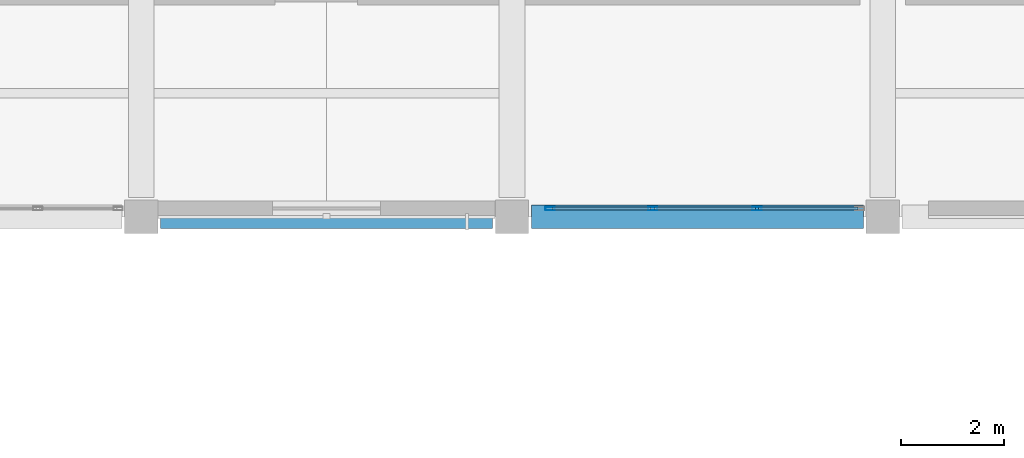
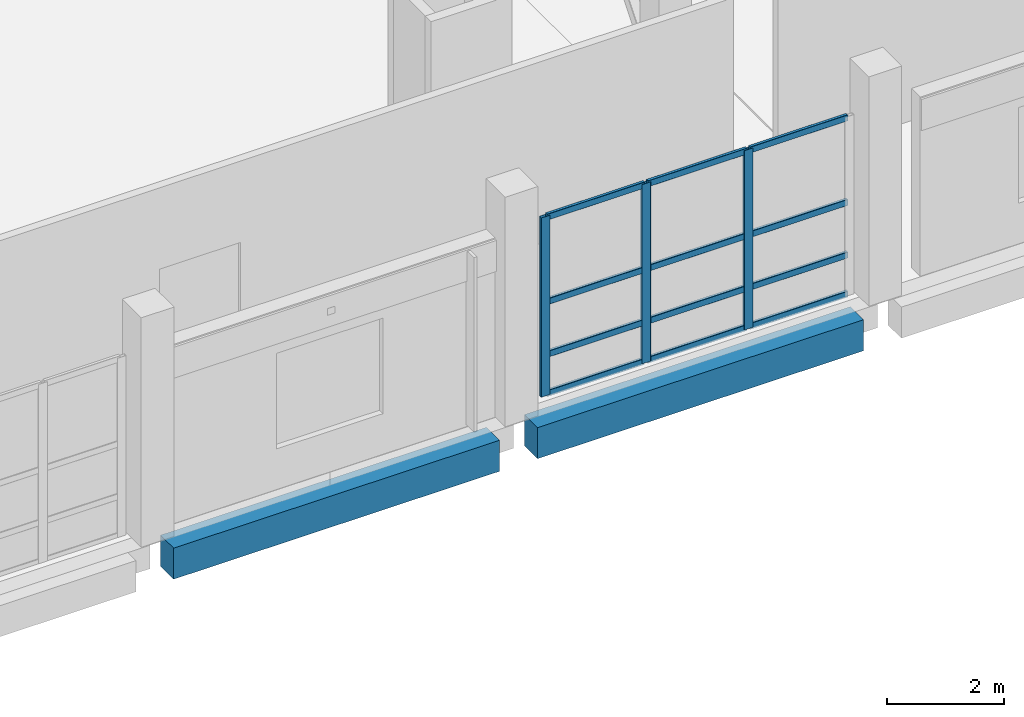
# One storey, part 50 of 127: 15 members, 2 beams, 1 element without a shape of its own.
"""IFC4 building model written with IfcOpenShell, lengths in metres."""

from ifc_helpers import new_model, si_unit, direction, frame, origin, origin_2d, place, context, subcontext, project, spatial, rectangle, hollow_rectangle, extrude, material, material_profile, profile_set, type_object, element, aggregate, save


model = new_model("IFC4")

# Units and contexts
model_context = context("Model", 3, precision=1e-05, world=origin(), true_north=direction((0.0, 1.0)))
body_context = subcontext(model_context, "Body", "Model", "MODEL_VIEW")
ifc_project = project(units=[si_unit("LENGTHUNIT", "METRE"), si_unit("AREAUNIT", "SQUARE_METRE"), si_unit("VOLUMEUNIT", "CUBIC_METRE"), si_unit("PLANEANGLEUNIT", "RADIAN"), si_unit("MASSUNIT", "GRAM", prefix="KILO")], contexts=[model_context])

# Site, building, storey
site_placement = place(None, origin())
site = spatial("IfcSite", under=ifc_project, at=site_placement, CompositionType="ELEMENT")
building_placement = place(site_placement, origin())
building = spatial("IfcBuilding", under=site, at=building_placement, Name="Kalmorath City Hall", CompositionType="ELEMENT")
storey_placement = place(building_placement, frame((0.0, 0.0, 5.39990234375)))
storey = spatial("IfcBuildingStorey", under=building, at=storey_placement, Name="L01", CompositionType="ELEMENT", Elevation=5.39990234375)

# Beams
ifc_material_1 = material(Name="Concrete C40/50", Category="concrete")
ifc_material_profile_1 = material_profile(ifc_material_1, rectangle(XDim=0.449951171875, YDim=0.64990234375, at=origin_2d()), Name="RC-BM-450X650")
ifc_profile_set_1 = profile_set([ifc_material_profile_1], Name="Concrete C40/50")
beam_type = type_object("IfcBeamType", Name="Concrete spandrel beam 450x650", PredefinedType="SPANDREL", material=ifc_profile_set_1)
beam_1_placement = place(storey_placement, frame((50.77490234375, 93.60009765625, -0.64892578125), z_axis=(1.0, 0.0, 0.0), x_axis=(0.0, 1.0, 0.0)))
element("IfcBeam", 1, at=beam_1_placement, inside=storey, type_object=beam_type, Name="L01 girder CB5 X8-9/14", PredefinedType="SPANDREL", context=body_context, shape_type="SweptSolid", body=[
    extrude(rectangle(XDim=0.449951171875, YDim=0.64990234375, at=origin_2d()), origin(), (0.0, 0.0, 1.0), 6.4501953125),
])
beam_2_placement = place(storey_placement, frame((57.97509765625, 93.60009765625, -0.64892578125), z_axis=(1.0, 0.0, 0.0), x_axis=(0.0, 1.0, 0.0)))
element("IfcBeam", 2, at=beam_2_placement, inside=storey, type_object=beam_type, Name="L01 girder CB5 X9-10/14", PredefinedType="SPANDREL", context=body_context, shape_type="SweptSolid", body=[
    extrude(rectangle(XDim=0.449951171875, YDim=0.64990234375, at=origin_2d()), origin(), (0.0, 0.0, 1.0), 6.449951171875),
])

# Curtain wall, members
ifc_material_2 = material(Name="Anodised aluminium and laminated glass", Category="aluminium")
curtain_wall_type = type_object("IfcCurtainWallType", Name="Unitised hurricane curtain wall 6077x3751 M1750", PredefinedType="NOTDEFINED", material=ifc_material_2)
curtain_wall_placement = place(storey_placement, origin())
curtain_wall = element("IfcCurtainWall", 3, at=curtain_wall_placement, inside=storey, type_object=curtain_wall_type, Name="L01 curtain wall CW-61X38M18 #105", PredefinedType="NOTDEFINED")
ifc_material_3 = material(Name="Anodised aluminium framing", Category="aluminium")
ifc_material_profile_2 = material_profile(ifc_material_3, hollow_rectangle(XDim=0.06494140625, YDim=0.179931640625, WallThickness=0.00390625, InnerFilletRadius=0.00390625, OuterFilletRadius=0.008056640625, at=origin_2d()), Name="ALU-MUL-180X65X4")
ifc_profile_set_2 = profile_set([ifc_material_profile_2], Name="Anodised aluminium framing")
member_type_1 = type_object("IfcMemberType", Name="Curtain-wall courtyard mullion 180x65", PredefinedType="MULLION", material=ifc_profile_set_2)
member_1_placement = place(storey_placement, frame((62.359130859375, 93.760009765625, 0.0), z_axis=(0.0, 0.0, 1.0), x_axis=(0.0, -1.0, 0.0)))
member_1 = element("IfcMember", 4, at=member_1_placement, type_object=member_type_1, Name="CW-61X38M18 mullion 2", PredefinedType="MULLION", context=body_context, shape_type="SweptSolid", body=[
    extrude(hollow_rectangle(XDim=0.06494140625, YDim=0.179931640625, WallThickness=0.00390625, InnerFilletRadius=0.00390625, OuterFilletRadius=0.008056640625, at=origin_2d()), origin(), (0.0, 0.0, 1.0), 3.7509765625),
])
member_2_placement = place(storey_placement, frame((60.33349609375, 93.760009765625, 0.0), z_axis=(0.0, 0.0, 1.0), x_axis=(0.0, -1.0, 0.0)))
member_2 = element("IfcMember", 5, at=member_2_placement, type_object=member_type_1, Name="CW-61X38M18 mullion 3", PredefinedType="MULLION", context=body_context, shape_type="SweptSolid", body=[
    extrude(hollow_rectangle(XDim=0.06494140625, YDim=0.179931640625, WallThickness=0.00390625, InnerFilletRadius=0.00390625, OuterFilletRadius=0.008056640625, at=origin_2d()), origin(), (0.0, 0.0, 1.0), 3.7509765625),
])
member_3_placement = place(storey_placement, frame((58.340087890625, 93.760009765625, 0.0), z_axis=(0.0, 0.0, 1.0), x_axis=(0.0, -1.0, 0.0)))
member_3 = element("IfcMember", 6, at=member_3_placement, type_object=member_type_1, Name="CW-61X38M18 mullion 4", PredefinedType="MULLION", context=body_context, shape_type="SweptSolid", body=[
    extrude(hollow_rectangle(XDim=0.06494140625, YDim=0.179931640625, WallThickness=0.00390625, InnerFilletRadius=0.00390625, OuterFilletRadius=0.008056640625, at=origin_2d()), origin(), (0.0, 0.0, 1.0), 3.7509765625),
])
ifc_material_4 = material(Name="Anodised aluminium framing", Category="aluminium")
ifc_material_profile_3 = material_profile(ifc_material_4, hollow_rectangle(XDim=0.06005859375, YDim=0.1298828125, WallThickness=0.00341796875, InnerFilletRadius=0.00341796875, OuterFilletRadius=0.007080078125, at=origin_2d()), Name="ALU-TRN-130X60X3.5")
ifc_profile_set_3 = profile_set([ifc_material_profile_3], Name="Anodised aluminium framing")
member_type_2 = type_object("IfcMemberType", Name="Curtain-wall courtyard transom 130x60", PredefinedType="USERDEFINED", material=ifc_profile_set_3)
member_4_placement = place(storey_placement, frame((64.320068359375, 93.760009765625, 0.030029296875), z_axis=(-1.0, 0.0, 0.0), x_axis=(0.0, -1.0, 0.0)))
member_4 = element("IfcMember", 7, at=member_4_placement, type_object=member_type_2, Name="CW-61X38M18 transom 1.1", ObjectType="TRANSOM", PredefinedType="USERDEFINED", context=body_context, shape_type="SweptSolid", body=[
    extrude(hollow_rectangle(XDim=0.06005859375, YDim=0.1298828125, WallThickness=0.00341796875, InnerFilletRadius=0.00341796875, OuterFilletRadius=0.007080078125, at=origin_2d()), origin(), (0.0, 0.0, 1.0), 1.928466796875),
])
member_5_placement = place(storey_placement, frame((64.320068359375, 93.760009765625, 0.85009765625), z_axis=(-1.0, 0.0, 0.0), x_axis=(0.0, -1.0, 0.0)))
member_5 = element("IfcMember", 8, at=member_5_placement, type_object=member_type_2, Name="CW-61X38M18 transom 1.2", ObjectType="TRANSOM", PredefinedType="USERDEFINED", context=body_context, shape_type="SweptSolid", body=[
    extrude(hollow_rectangle(XDim=0.06005859375, YDim=0.1298828125, WallThickness=0.00341796875, InnerFilletRadius=0.00341796875, OuterFilletRadius=0.007080078125, at=origin_2d()), origin(), (0.0, 0.0, 1.0), 1.928466796875),
])
member_6_placement = place(storey_placement, frame((64.320068359375, 93.760009765625, 1.951171875), z_axis=(-1.0, 0.0, 0.0), x_axis=(0.0, -1.0, 0.0)))
member_6 = element("IfcMember", 9, at=member_6_placement, type_object=member_type_2, Name="CW-61X38M18 transom 1.3", ObjectType="TRANSOM", PredefinedType="USERDEFINED", context=body_context, shape_type="SweptSolid", body=[
    extrude(hollow_rectangle(XDim=0.06005859375, YDim=0.1298828125, WallThickness=0.00341796875, InnerFilletRadius=0.00341796875, OuterFilletRadius=0.007080078125, at=origin_2d()), origin(), (0.0, 0.0, 1.0), 1.928466796875),
])
member_7_placement = place(storey_placement, frame((64.320068359375, 93.760009765625, 3.72119140625), z_axis=(-1.0, 0.0, 0.0), x_axis=(0.0, -1.0, 0.0)))
member_7 = element("IfcMember", 10, at=member_7_placement, type_object=member_type_2, Name="CW-61X38M18 transom 1.4", ObjectType="TRANSOM", PredefinedType="USERDEFINED", context=body_context, shape_type="SweptSolid", body=[
    extrude(hollow_rectangle(XDim=0.06005859375, YDim=0.1298828125, WallThickness=0.00341796875, InnerFilletRadius=0.00341796875, OuterFilletRadius=0.007080078125, at=origin_2d()), origin(), (0.0, 0.0, 1.0), 1.928466796875),
])
member_8_placement = place(storey_placement, frame((62.32666015625, 93.760009765625, 0.030029296875), z_axis=(-1.0, 0.0, 0.0), x_axis=(0.0, -1.0, 0.0)))
member_8 = element("IfcMember", 11, at=member_8_placement, type_object=member_type_2, Name="CW-61X38M18 transom 2.1", ObjectType="TRANSOM", PredefinedType="USERDEFINED", context=body_context, shape_type="SweptSolid", body=[
    extrude(hollow_rectangle(XDim=0.06005859375, YDim=0.1298828125, WallThickness=0.00341796875, InnerFilletRadius=0.00341796875, OuterFilletRadius=0.007080078125, at=origin_2d()), origin(), (0.0, 0.0, 1.0), 1.960693359375),
])
member_9_placement = place(storey_placement, frame((62.32666015625, 93.760009765625, 0.85009765625), z_axis=(-1.0, 0.0, 0.0), x_axis=(0.0, -1.0, 0.0)))
member_9 = element("IfcMember", 12, at=member_9_placement, type_object=member_type_2, Name="CW-61X38M18 transom 2.2", ObjectType="TRANSOM", PredefinedType="USERDEFINED", context=body_context, shape_type="SweptSolid", body=[
    extrude(hollow_rectangle(XDim=0.06005859375, YDim=0.1298828125, WallThickness=0.00341796875, InnerFilletRadius=0.00341796875, OuterFilletRadius=0.007080078125, at=origin_2d()), origin(), (0.0, 0.0, 1.0), 1.960693359375),
])
member_10_placement = place(storey_placement, frame((62.32666015625, 93.760009765625, 1.951171875), z_axis=(-1.0, 0.0, 0.0), x_axis=(0.0, -1.0, 0.0)))
member_10 = element("IfcMember", 13, at=member_10_placement, type_object=member_type_2, Name="CW-61X38M18 transom 2.3", ObjectType="TRANSOM", PredefinedType="USERDEFINED", context=body_context, shape_type="SweptSolid", body=[
    extrude(hollow_rectangle(XDim=0.06005859375, YDim=0.1298828125, WallThickness=0.00341796875, InnerFilletRadius=0.00341796875, OuterFilletRadius=0.007080078125, at=origin_2d()), origin(), (0.0, 0.0, 1.0), 1.960693359375),
])
member_11_placement = place(storey_placement, frame((62.32666015625, 93.760009765625, 3.72119140625), z_axis=(-1.0, 0.0, 0.0), x_axis=(0.0, -1.0, 0.0)))
member_11 = element("IfcMember", 14, at=member_11_placement, type_object=member_type_2, Name="CW-61X38M18 transom 2.4", ObjectType="TRANSOM", PredefinedType="USERDEFINED", context=body_context, shape_type="SweptSolid", body=[
    extrude(hollow_rectangle(XDim=0.06005859375, YDim=0.1298828125, WallThickness=0.00341796875, InnerFilletRadius=0.00341796875, OuterFilletRadius=0.007080078125, at=origin_2d()), origin(), (0.0, 0.0, 1.0), 1.960693359375),
])
member_12_placement = place(storey_placement, frame((60.30078125, 93.760009765625, 0.030029296875), z_axis=(-1.0, 0.0, 0.0), x_axis=(0.0, -1.0, 0.0)))
member_12 = element("IfcMember", 15, at=member_12_placement, type_object=member_type_2, Name="CW-61X38M18 transom 3.1", ObjectType="TRANSOM", PredefinedType="USERDEFINED", context=body_context, shape_type="SweptSolid", body=[
    extrude(hollow_rectangle(XDim=0.06005859375, YDim=0.1298828125, WallThickness=0.00341796875, InnerFilletRadius=0.00341796875, OuterFilletRadius=0.007080078125, at=origin_2d()), origin(), (0.0, 0.0, 1.0), 1.92822265625),
])
member_13_placement = place(storey_placement, frame((60.30078125, 93.760009765625, 0.85009765625), z_axis=(-1.0, 0.0, 0.0), x_axis=(0.0, -1.0, 0.0)))
member_13 = element("IfcMember", 16, at=member_13_placement, type_object=member_type_2, Name="CW-61X38M18 transom 3.2", ObjectType="TRANSOM", PredefinedType="USERDEFINED", context=body_context, shape_type="SweptSolid", body=[
    extrude(hollow_rectangle(XDim=0.06005859375, YDim=0.1298828125, WallThickness=0.00341796875, InnerFilletRadius=0.00341796875, OuterFilletRadius=0.007080078125, at=origin_2d()), origin(), (0.0, 0.0, 1.0), 1.92822265625),
])
member_14_placement = place(storey_placement, frame((60.30078125, 93.760009765625, 1.951171875), z_axis=(-1.0, 0.0, 0.0), x_axis=(0.0, -1.0, 0.0)))
member_14 = element("IfcMember", 17, at=member_14_placement, type_object=member_type_2, Name="CW-61X38M18 transom 3.3", ObjectType="TRANSOM", PredefinedType="USERDEFINED", context=body_context, shape_type="SweptSolid", body=[
    extrude(hollow_rectangle(XDim=0.06005859375, YDim=0.1298828125, WallThickness=0.00341796875, InnerFilletRadius=0.00341796875, OuterFilletRadius=0.007080078125, at=origin_2d()), origin(), (0.0, 0.0, 1.0), 1.92822265625),
])
member_15_placement = place(storey_placement, frame((60.30078125, 93.760009765625, 3.72119140625), z_axis=(-1.0, 0.0, 0.0), x_axis=(0.0, -1.0, 0.0)))
member_15 = element("IfcMember", 18, at=member_15_placement, type_object=member_type_2, Name="CW-61X38M18 transom 3.4", ObjectType="TRANSOM", PredefinedType="USERDEFINED", context=body_context, shape_type="SweptSolid", body=[
    extrude(hollow_rectangle(XDim=0.06005859375, YDim=0.1298828125, WallThickness=0.00341796875, InnerFilletRadius=0.00341796875, OuterFilletRadius=0.007080078125, at=origin_2d()), origin(), (0.0, 0.0, 1.0), 1.92822265625),
])
aggregate(curtain_wall, [member_1, member_2, member_3, member_4, member_5, member_6, member_7, member_8, member_9, member_10, member_11, member_12, member_13, member_14, member_15])

save(model, "model.ifc")
